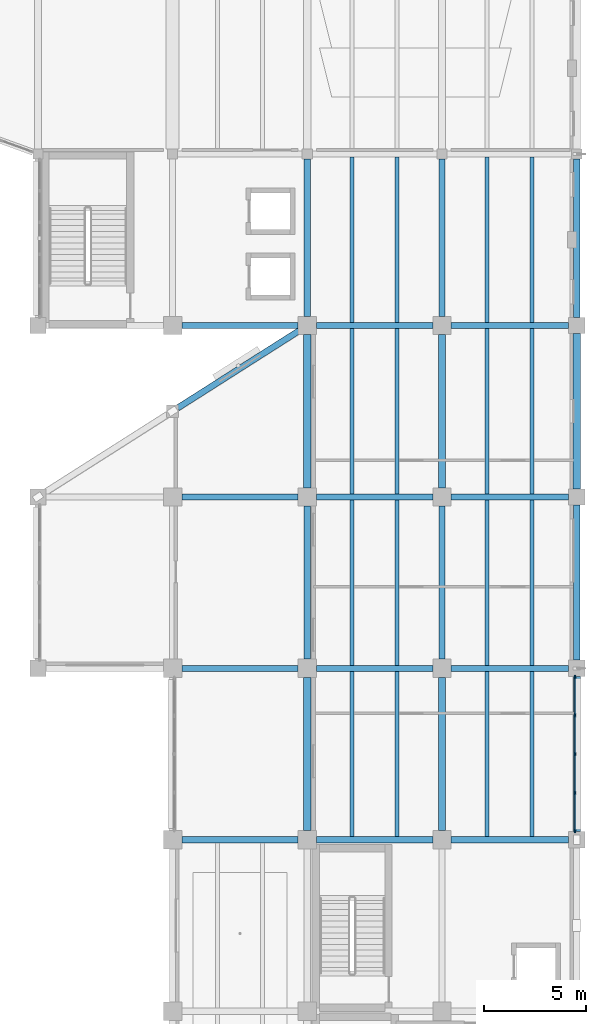
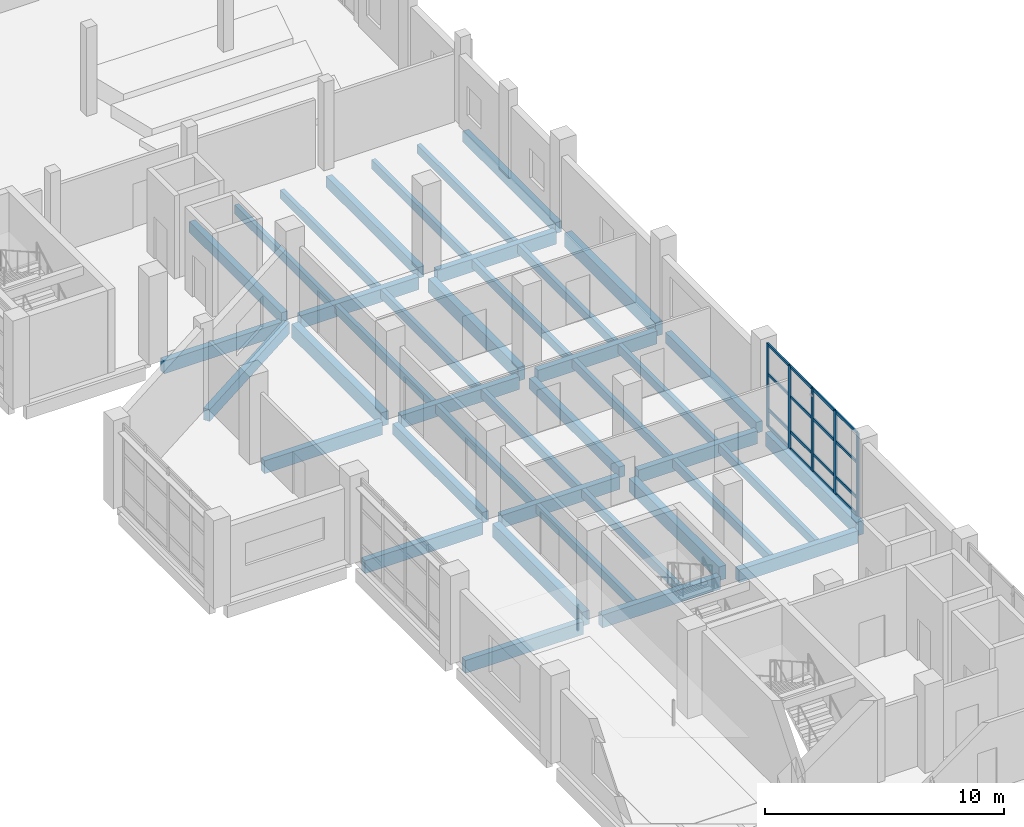
# One storey, part 21 of 76: 41 beams, 21 members, 1 element without a shape of its own.
"""IFC4 building model written with IfcOpenShell, lengths in metres."""

from ifc_helpers import new_model, si_unit, direction, frame, origin, origin_2d, place, context, subcontext, project, spatial, rectangle, extrude, material, material_profile, profile_set, type_object, element, aggregate, save


model = new_model("IFC4")

# Units and contexts
model_context = context("Model", 3, precision=1e-05, world=origin(), true_north=direction((0.0, 1.0)))
body_context = subcontext(model_context, "Body", "Model", "MODEL_VIEW")
ifc_project = project(units=[si_unit("LENGTHUNIT", "METRE"), si_unit("AREAUNIT", "SQUARE_METRE"), si_unit("VOLUMEUNIT", "CUBIC_METRE"), si_unit("PLANEANGLEUNIT", "RADIAN"), si_unit("MASSUNIT", "GRAM", prefix="KILO")], contexts=[model_context])

# Site, building, storey
site_placement = place(None, origin())
site = spatial("IfcSite", under=ifc_project, at=site_placement, CompositionType="ELEMENT")
building_placement = place(site_placement, origin())
building = spatial("IfcBuilding", under=site, at=building_placement, Name="Qaldarim Faculty of Natural and Applied Sciences", CompositionType="ELEMENT")
storey_placement = place(building_placement, frame((0.0, 0.0, 9.89990234375)))
storey = spatial("IfcBuildingStorey", under=building, at=storey_placement, Name="L02", CompositionType="ELEMENT", Elevation=9.89990234375)

# Beams
ifc_material_1 = material(Name="Concrete C40/50", Category="concrete")
ifc_material_profile_1 = material_profile(ifc_material_1, rectangle(XDim=0.300048828125, YDim=0.550048828125, at=origin_2d()), Name="RC-B300x550")
ifc_profile_set_1 = profile_set([ifc_material_profile_1], Name="Concrete C40/50")
beam_type_1 = type_object("IfcBeamType", Name="FloorBeam-RC300x550", PredefinedType="BEAM", material=ifc_profile_set_1)
beam_1_placement = place(storey_placement, frame((165.0, 42.449951171875, -0.574951171875), z_axis=(0.0, 1.0, 0.0), x_axis=(-1.0, 0.0, 0.0)))
element("IfcBeam", 1, at=beam_1_placement, inside=storey, type_object=beam_type_1, Name="Beam RC-B300x550 L01 X26/Y06-Y07", PredefinedType="BEAM", context=body_context, shape_type="SweptSolid", body=[
    extrude(rectangle(XDim=0.300048828125, YDim=0.550048828125, at=origin_2d()), origin(), (0.0, 0.0, 1.0), 7.5),
])
beam_2_placement = place(storey_placement, frame((165.0, 59.25, -0.574951171875), z_axis=(0.0, 1.0, 0.0), x_axis=(-1.0, 0.0, 0.0)))
element("IfcBeam", 2, at=beam_2_placement, inside=storey, type_object=beam_type_1, Name="Beam RC-B300x550 L01 X26/Y08-Y09", PredefinedType="BEAM", context=body_context, shape_type="SweptSolid", body=[
    extrude(rectangle(XDim=0.300048828125, YDim=0.550048828125, at=origin_2d()), origin(), (0.0, 0.0, 1.0), 7.699951171875),
])
beam_3_placement = place(storey_placement, frame((171.60009765625, 42.449951171875, -0.574951171875), z_axis=(0.0, 1.0, 0.0), x_axis=(-1.0, 0.0, 0.0)))
element("IfcBeam", 3, at=beam_3_placement, inside=storey, type_object=beam_type_1, Name="Beam RC-B300x550 L01 X27/Y06-Y07", PredefinedType="BEAM", context=body_context, shape_type="SweptSolid", body=[
    extrude(rectangle(XDim=0.300048828125, YDim=0.550048828125, at=origin_2d()), origin(), (0.0, 0.0, 1.0), 7.5),
])
beam_4_placement = place(storey_placement, frame((171.60009765625, 59.25, -0.574951171875), z_axis=(0.0, 1.0, 0.0), x_axis=(-1.0, 0.0, 0.0)))
element("IfcBeam", 4, at=beam_4_placement, inside=storey, type_object=beam_type_1, Name="Beam RC-B300x550 L01 X27/Y08-Y09", PredefinedType="BEAM", context=body_context, shape_type="SweptSolid", body=[
    extrude(rectangle(XDim=0.300048828125, YDim=0.550048828125, at=origin_2d()), origin(), (0.0, 0.0, 1.0), 7.699951171875),
])
beam_5_placement = place(storey_placement, frame((178.199951171875, 42.39990234375, -0.574951171875), z_axis=(0.0, 1.0, 0.0), x_axis=(-1.0, 0.0, 0.0)))
element("IfcBeam", 5, at=beam_5_placement, inside=storey, type_object=beam_type_1, Name="Beam RC-B300x550 L01 X28/Y06-Y07", PredefinedType="BEAM", context=body_context, shape_type="SweptSolid", body=[
    extrude(rectangle(XDim=0.300048828125, YDim=0.550048828125, at=origin_2d()), origin(), (0.0, 0.0, 1.0), 7.60009765625),
])
beam_6_placement = place(storey_placement, frame((178.199951171875, 59.199951171875, -0.574951171875), z_axis=(0.0, 1.0, 0.0), x_axis=(-1.0, 0.0, 0.0)))
element("IfcBeam", 6, at=beam_6_placement, inside=storey, type_object=beam_type_1, Name="Beam RC-B300x550 L01 X28/Y08-Y09", PredefinedType="BEAM", context=body_context, shape_type="SweptSolid", body=[
    extrude(rectangle(XDim=0.300048828125, YDim=0.550048828125, at=origin_2d()), origin(), (0.0, 0.0, 1.0), 7.75),
])
ifc_material_profile_2 = material_profile(ifc_material_1, rectangle(XDim=0.199951171875, YDim=0.449951171875, at=origin_2d()), Name="RC-J200x450")
ifc_profile_set_2 = profile_set([ifc_material_profile_2], Name="Concrete C40/50")
beam_type_2 = type_object("IfcBeamType", Name="LabJoist-RC200x450", PredefinedType="JOIST", material=ifc_profile_set_2)
for number, where, z_axis, x_axis, name in (
    (7, (167.199951171875, 33.75, -0.52490234375), (0.0, 1.0, 0.0), (-1.0, 0.0, 0.0), "Laboratory joist L01 bay X26Y05-1"),
    (8, (169.39990234375, 33.75, -0.52490234375), (0.0, 1.0, 0.0), (-1.0, 0.0, 0.0), "Laboratory joist L01 bay X26Y05-2"),
    (9, (167.199951171875, 42.14990234375, -0.52490234375), (0.0, 1.0, 0.0), (-1.0, 0.0, 0.0), "Laboratory joist L01 bay X26Y06-1"),
    (10, (169.39990234375, 42.14990234375, -0.52490234375), (0.0, 1.0, 0.0), (-1.0, 0.0, 0.0), "Laboratory joist L01 bay X26Y06-2"),
):
    element("IfcBeam", number, at=place(storey_placement, frame(where, z_axis=z_axis, x_axis=x_axis)), inside=storey, type_object=beam_type_2, Name=name, PredefinedType="JOIST", context=body_context, shape_type="SweptSolid", body=[
        extrude(rectangle(XDim=0.199951171875, YDim=0.449951171875, at=origin_2d()), origin(), (0.0, 0.0, 1.0), 8.10009765625),
    ])
for number, where, z_axis, x_axis, name in (
    (11, (167.199951171875, 50.550048828125, -0.52490234375), (0.0, 1.0, 0.0), (-1.0, 0.0, 0.0), "Laboratory joist L01 bay X26Y07-1"),
    (12, (169.39990234375, 50.550048828125, -0.52490234375), (0.0, 1.0, 0.0), (-1.0, 0.0, 0.0), "Laboratory joist L01 bay X26Y07-2"),
):
    element("IfcBeam", number, at=place(storey_placement, frame(where, z_axis=z_axis, x_axis=x_axis)), inside=storey, type_object=beam_type_2, Name=name, PredefinedType="JOIST", context=body_context, shape_type="SweptSolid", body=[
        extrude(rectangle(XDim=0.199951171875, YDim=0.449951171875, at=origin_2d()), origin(), (0.0, 0.0, 1.0), 8.099853515625),
    ])
for number, where, z_axis, x_axis, name in (
    (13, (167.199951171875, 58.949951171875, -0.52490234375), (0.0, 1.0, 0.0), (-1.0, 0.0, 0.0), "Laboratory joist L01 bay X26Y08-1"),
    (14, (169.39990234375, 58.949951171875, -0.52490234375), (0.0, 1.0, 0.0), (-1.0, 0.0, 0.0), "Laboratory joist L01 bay X26Y08-2"),
    (15, (173.800048828125, 33.75, -0.52490234375), (0.0, 1.0, 0.0), (-1.0, 0.0, 0.0), "Laboratory joist L01 bay X27Y05-1"),
    (16, (176.0, 33.75, -0.52490234375), (0.0, 1.0, 0.0), (-1.0, 0.0, 0.0), "Laboratory joist L01 bay X27Y05-2"),
    (17, (173.800048828125, 42.14990234375, -0.52490234375), (0.0, 1.0, 0.0), (-1.0, 0.0, 0.0), "Laboratory joist L01 bay X27Y06-1"),
    (18, (176.0, 42.14990234375, -0.52490234375), (0.0, 1.0, 0.0), (-1.0, 0.0, 0.0), "Laboratory joist L01 bay X27Y06-2"),
):
    element("IfcBeam", number, at=place(storey_placement, frame(where, z_axis=z_axis, x_axis=x_axis)), inside=storey, type_object=beam_type_2, Name=name, PredefinedType="JOIST", context=body_context, shape_type="SweptSolid", body=[
        extrude(rectangle(XDim=0.199951171875, YDim=0.449951171875, at=origin_2d()), origin(), (0.0, 0.0, 1.0), 8.10009765625),
    ])
for number, where, z_axis, x_axis, name in (
    (19, (173.800048828125, 50.550048828125, -0.52490234375), (0.0, 1.0, 0.0), (-1.0, 0.0, 0.0), "Laboratory joist L01 bay X27Y07-1"),
    (20, (176.0, 50.550048828125, -0.52490234375), (0.0, 1.0, 0.0), (-1.0, 0.0, 0.0), "Laboratory joist L01 bay X27Y07-2"),
):
    element("IfcBeam", number, at=place(storey_placement, frame(where, z_axis=z_axis, x_axis=x_axis)), inside=storey, type_object=beam_type_2, Name=name, PredefinedType="JOIST", context=body_context, shape_type="SweptSolid", body=[
        extrude(rectangle(XDim=0.199951171875, YDim=0.449951171875, at=origin_2d()), origin(), (0.0, 0.0, 1.0), 8.099853515625),
    ])
for number, where, z_axis, x_axis, name in (
    (21, (173.800048828125, 58.949951171875, -0.52490234375), (0.0, 1.0, 0.0), (-1.0, 0.0, 0.0), "Laboratory joist L01 bay X27Y08-1"),
    (22, (176.0, 58.949951171875, -0.52490234375), (0.0, 1.0, 0.0), (-1.0, 0.0, 0.0), "Laboratory joist L01 bay X27Y08-2"),
):
    element("IfcBeam", number, at=place(storey_placement, frame(where, z_axis=z_axis, x_axis=x_axis)), inside=storey, type_object=beam_type_2, Name=name, PredefinedType="JOIST", context=body_context, shape_type="SweptSolid", body=[
        extrude(rectangle(XDim=0.199951171875, YDim=0.449951171875, at=origin_2d()), origin(), (0.0, 0.0, 1.0), 8.10009765625),
    ])

# Curtain wall, members
ifc_material_2 = material(Name="Anodised aluminium AW-6063", Category="aluminium")
curtain_wall_type = type_object("IfcCurtainWallType", Name="CurtainWallSystem-M1700", PredefinedType="USERDEFINED", material=ifc_material_2)
curtain_wall_placement = place(storey_placement, origin())
curtain_wall = element("IfcCurtainWall", 23, at=curtain_wall_placement, inside=storey, type_object=curtain_wall_type, Name="Curtain wall CW-L02-E-X27Y05", ObjectType="UNITISED FACADE", PredefinedType="USERDEFINED")
ifc_material_profile_3 = material_profile(ifc_material_2, rectangle(XDim=0.070068359375, YDim=0.179931640625, at=origin_2d()), Name="ALU-M70x180")
ifc_profile_set_3 = profile_set([ifc_material_profile_3], Name="Anodised aluminium AW-6063")
member_type_1 = type_object("IfcMemberType", Name="Mullion-ALU70x180", PredefinedType="MULLION", material=ifc_profile_set_3)
member_1_placement = place(storey_placement, frame((178.1201171875, 34.030029296875, 0.0), z_axis=(0.0, 0.0, 1.0), x_axis=(-1.0, 0.0, 0.0)))
member_1 = element("IfcMember", 24, at=member_1_placement, type_object=member_type_1, Name="Mullion 1 of CW-L02-E-X27Y05", PredefinedType="MULLION", context=body_context, shape_type="SweptSolid", body=[
    extrude(rectangle(XDim=0.070068359375, YDim=0.179931640625, at=origin_2d()), origin(), (0.0, 0.0, 1.0), 4.239990234375),
])
member_2_placement = place(storey_placement, frame((178.1201171875, 35.8974609375, 0.0), z_axis=(0.0, 0.0, 1.0), x_axis=(-1.0, 0.0, 0.0)))
member_2 = element("IfcMember", 25, at=member_2_placement, type_object=member_type_1, Name="Mullion 2 of CW-L02-E-X27Y05", PredefinedType="MULLION", context=body_context, shape_type="SweptSolid", body=[
    extrude(rectangle(XDim=0.070068359375, YDim=0.179931640625, at=origin_2d()), origin(), (0.0, 0.0, 1.0), 4.239990234375),
])
member_3_placement = place(storey_placement, frame((178.1201171875, 37.800048828125, 0.0), z_axis=(0.0, 0.0, 1.0), x_axis=(-1.0, 0.0, 0.0)))
member_3 = element("IfcMember", 26, at=member_3_placement, type_object=member_type_1, Name="Mullion 3 of CW-L02-E-X27Y05", PredefinedType="MULLION", context=body_context, shape_type="SweptSolid", body=[
    extrude(rectangle(XDim=0.070068359375, YDim=0.179931640625, at=origin_2d()), origin(), (0.0, 0.0, 1.0), 4.239990234375),
])
member_4_placement = place(storey_placement, frame((178.1201171875, 39.702392578125, 0.0), z_axis=(0.0, 0.0, 1.0), x_axis=(-1.0, 0.0, 0.0)))
member_4 = element("IfcMember", 27, at=member_4_placement, type_object=member_type_1, Name="Mullion 4 of CW-L02-E-X27Y05", PredefinedType="MULLION", context=body_context, shape_type="SweptSolid", body=[
    extrude(rectangle(XDim=0.070068359375, YDim=0.179931640625, at=origin_2d()), origin(), (0.0, 0.0, 1.0), 4.239990234375),
])
member_5_placement = place(storey_placement, frame((178.1201171875, 41.570068359375, 0.0), z_axis=(0.0, 0.0, 1.0), x_axis=(-1.0, 0.0, 0.0)))
member_5 = element("IfcMember", 28, at=member_5_placement, type_object=member_type_1, Name="Mullion 5 of CW-L02-E-X27Y05", PredefinedType="MULLION", context=body_context, shape_type="SweptSolid", body=[
    extrude(rectangle(XDim=0.070068359375, YDim=0.179931640625, at=origin_2d()), origin(), (0.0, 0.0, 1.0), 4.239990234375),
])

# Beams
ifc_material_profile_4 = material_profile(ifc_material_1, rectangle(XDim=0.300048828125, YDim=0.64990234375, at=origin_2d()), Name="RC-B300x650")
ifc_profile_set_4 = profile_set([ifc_material_profile_4], Name="Concrete C40/50")
beam_type_3 = type_object("IfcBeamType", Name="PrimaryBeam-RC300x650", PredefinedType="BEAM", material=ifc_profile_set_4)
for number, where, z_axis, x_axis, name in (
    (29, (158.85009765625, 33.60009765625, -0.625), (1.0, 0.0, 0.0), (0.0, 1.0, 0.0), "Beam RC-B300x650 L01 X25-X26/Y05"),
    (30, (165.449951171875, 33.60009765625, -0.625), (1.0, 0.0, 0.0), (0.0, 1.0, 0.0), "Beam RC-B300x650 L01 X26-X27/Y05"),
):
    element("IfcBeam", number, at=place(storey_placement, frame(where, z_axis=z_axis, x_axis=x_axis)), inside=storey, type_object=beam_type_3, Name=name, PredefinedType="BEAM", context=body_context, shape_type="SweptSolid", body=[
        extrude(rectangle(XDim=0.300048828125, YDim=0.64990234375, at=origin_2d()), origin(), (0.0, 0.0, 1.0), 5.699951171875),
    ])
beam_7_placement = place(storey_placement, frame((172.050048828125, 33.60009765625, -0.625), z_axis=(1.0, 0.0, 0.0), x_axis=(0.0, 1.0, 0.0)))
element("IfcBeam", 31, at=beam_7_placement, inside=storey, type_object=beam_type_3, Name="Beam RC-B300x650 L01 X27-X28/Y05", PredefinedType="BEAM", context=body_context, shape_type="SweptSolid", body=[
    extrude(rectangle(XDim=0.300048828125, YDim=0.64990234375, at=origin_2d()), origin(), (0.0, 0.0, 1.0), 5.75),
])
for number, where, z_axis, x_axis, name in (
    (32, (158.85009765625, 42.0, -0.625), (1.0, 0.0, 0.0), (0.0, 1.0, 0.0), "Beam RC-B300x650 L01 X25-X26/Y06"),
    (33, (165.449951171875, 42.0, -0.625), (1.0, 0.0, 0.0), (0.0, 1.0, 0.0), "Beam RC-B300x650 L01 X26-X27/Y06"),
):
    element("IfcBeam", number, at=place(storey_placement, frame(where, z_axis=z_axis, x_axis=x_axis)), inside=storey, type_object=beam_type_3, Name=name, PredefinedType="BEAM", context=body_context, shape_type="SweptSolid", body=[
        extrude(rectangle(XDim=0.300048828125, YDim=0.64990234375, at=origin_2d()), origin(), (0.0, 0.0, 1.0), 5.699951171875),
    ])
beam_8_placement = place(storey_placement, frame((172.050048828125, 42.0, -0.625), z_axis=(1.0, 0.0, 0.0), x_axis=(0.0, 1.0, 0.0)))
element("IfcBeam", 34, at=beam_8_placement, inside=storey, type_object=beam_type_3, Name="Beam RC-B300x650 L01 X27-X28/Y06", PredefinedType="BEAM", context=body_context, shape_type="SweptSolid", body=[
    extrude(rectangle(XDim=0.300048828125, YDim=0.64990234375, at=origin_2d()), origin(), (0.0, 0.0, 1.0), 5.75),
])
for number, where, z_axis, x_axis, name in (
    (35, (158.85009765625, 50.39990234375, -0.625), (1.0, 0.0, 0.0), (0.0, 1.0, 0.0), "Beam RC-B300x650 L01 X25-X26/Y07"),
    (36, (165.449951171875, 50.39990234375, -0.625), (1.0, 0.0, 0.0), (0.0, 1.0, 0.0), "Beam RC-B300x650 L01 X26-X27/Y07"),
):
    element("IfcBeam", number, at=place(storey_placement, frame(where, z_axis=z_axis, x_axis=x_axis)), inside=storey, type_object=beam_type_3, Name=name, PredefinedType="BEAM", context=body_context, shape_type="SweptSolid", body=[
        extrude(rectangle(XDim=0.300048828125, YDim=0.64990234375, at=origin_2d()), origin(), (0.0, 0.0, 1.0), 5.699951171875),
    ])
beam_9_placement = place(storey_placement, frame((172.050048828125, 50.39990234375, -0.625), z_axis=(1.0, 0.0, 0.0), x_axis=(0.0, 1.0, 0.0)))
element("IfcBeam", 37, at=beam_9_placement, inside=storey, type_object=beam_type_3, Name="Beam RC-B300x650 L01 X27-X28/Y07", PredefinedType="BEAM", context=body_context, shape_type="SweptSolid", body=[
    extrude(rectangle(XDim=0.300048828125, YDim=0.64990234375, at=origin_2d()), origin(), (0.0, 0.0, 1.0), 5.75),
])
for number, where, z_axis, x_axis, name in (
    (38, (158.85009765625, 58.800048828125, -0.625), (1.0, 0.0, 0.0), (0.0, 1.0, 0.0), "Beam RC-B300x650 L01 X25-X26/Y08"),
    (39, (165.449951171875, 58.800048828125, -0.625), (1.0, 0.0, 0.0), (0.0, 1.0, 0.0), "Beam RC-B300x650 L01 X26-X27/Y08"),
):
    element("IfcBeam", number, at=place(storey_placement, frame(where, z_axis=z_axis, x_axis=x_axis)), inside=storey, type_object=beam_type_3, Name=name, PredefinedType="BEAM", context=body_context, shape_type="SweptSolid", body=[
        extrude(rectangle(XDim=0.300048828125, YDim=0.64990234375, at=origin_2d()), origin(), (0.0, 0.0, 1.0), 5.699951171875),
    ])
beam_10_placement = place(storey_placement, frame((172.050048828125, 58.800048828125, -0.625), z_axis=(1.0, 0.0, 0.0), x_axis=(0.0, 1.0, 0.0)))
element("IfcBeam", 40, at=beam_10_placement, inside=storey, type_object=beam_type_3, Name="Beam RC-B300x650 L01 X27-X28/Y08", PredefinedType="BEAM", context=body_context, shape_type="SweptSolid", body=[
    extrude(rectangle(XDim=0.300048828125, YDim=0.64990234375, at=origin_2d()), origin(), (0.0, 0.0, 1.0), 5.75),
])
ifc_material_profile_5 = material_profile(ifc_material_1, rectangle(XDim=0.35009765625, YDim=0.699951171875, at=origin_2d()), Name="RC-B350x700")
ifc_profile_set_5 = profile_set([ifc_material_profile_5], Name="Concrete C40/50")
beam_type_4 = type_object("IfcBeamType", Name="PrimaryGirder-RC350x700", PredefinedType="BEAM", material=ifc_profile_set_5)
for number, where, z_axis, x_axis, name in (
    (41, (165.0, 34.050048828125, -0.64990234375), (0.0, 1.0, 0.0), (-1.0, 0.0, 0.0), "Beam RC-B350x700 L01 X26/Y05-Y06"),
    (42, (165.0, 50.85009765625, -0.64990234375), (0.0, 1.0, 0.0), (-1.0, 0.0, 0.0), "Beam RC-B350x700 L01 X26/Y07-Y08"),
    (43, (171.60009765625, 34.050048828125, -0.64990234375), (0.0, 1.0, 0.0), (-1.0, 0.0, 0.0), "Beam RC-B350x700 L01 X27/Y05-Y06"),
    (44, (171.60009765625, 50.85009765625, -0.64990234375), (0.0, 1.0, 0.0), (-1.0, 0.0, 0.0), "Beam RC-B350x700 L01 X27/Y07-Y08"),
):
    element("IfcBeam", number, at=place(storey_placement, frame(where, z_axis=z_axis, x_axis=x_axis)), inside=storey, type_object=beam_type_4, Name=name, PredefinedType="BEAM", context=body_context, shape_type="SweptSolid", body=[
        extrude(rectangle(XDim=0.35009765625, YDim=0.699951171875, at=origin_2d()), origin(), (0.0, 0.0, 1.0), 7.5),
    ])
beam_11_placement = place(storey_placement, frame((178.199951171875, 34.0, -0.64990234375), z_axis=(0.0, 1.0, 0.0), x_axis=(-1.0, 0.0, 0.0)))
element("IfcBeam", 45, at=beam_11_placement, inside=storey, type_object=beam_type_4, Name="Beam RC-B350x700 L01 X28/Y05-Y06", PredefinedType="BEAM", context=body_context, shape_type="SweptSolid", body=[
    extrude(rectangle(XDim=0.35009765625, YDim=0.699951171875, at=origin_2d()), origin(), (0.0, 0.0, 1.0), 7.60009765625),
])
beam_12_placement = place(storey_placement, frame((178.199951171875, 50.800048828125, -0.64990234375), z_axis=(0.0, 1.0, 0.0), x_axis=(-1.0, 0.0, 0.0)))
element("IfcBeam", 46, at=beam_12_placement, inside=storey, type_object=beam_type_4, Name="Beam RC-B350x700 L01 X28/Y07-Y08", PredefinedType="BEAM", context=body_context, shape_type="SweptSolid", body=[
    extrude(rectangle(XDim=0.35009765625, YDim=0.699951171875, at=origin_2d()), origin(), (0.0, 0.0, 1.0), 7.599853515625),
])
ifc_material_3 = material(Name="Precast concrete C40/50", Category="concrete")
ifc_material_profile_6 = material_profile(ifc_material_3, rectangle(XDim=0.300048828125, YDim=0.60009765625, at=origin_2d()), Name="RC-SP300x600")
ifc_profile_set_6 = profile_set([ifc_material_profile_6], Name="Precast concrete C40/50")
beam_type_5 = type_object("IfcBeamType", Name="SpandrelBeam-RC300x600", PredefinedType="SPANDREL", material=ifc_profile_set_6)
beam_13_placement = place(storey_placement, frame((158.64990234375, 54.760009765625, -0.599853515625), z_axis=(0.843786613851, 0.536678814829, 0.0), x_axis=(-0.536678814829, 0.843786613851, 0.0)))
element("IfcBeam", 47, at=beam_13_placement, inside=storey, type_object=beam_type_5, Name="Oblique NW chamfer spandrel L01 2", PredefinedType="SPANDREL", context=body_context, shape_type="SweptSolid", body=[
    extrude(rectangle(XDim=0.300048828125, YDim=0.60009765625, at=origin_2d()), origin(), (0.0, 0.0, 1.0), 7.2294921875),
])

# Member
ifc_material_profile_7 = material_profile(ifc_material_2, rectangle(XDim=0.070068359375, YDim=0.139892578125, at=origin_2d()), Name="ALU-T70x140")
ifc_profile_set_7 = profile_set([ifc_material_profile_7], Name="Anodised aluminium AW-6063")
member_type_2 = type_object("IfcMemberType", Name="Transom-ALU70x140", PredefinedType="USERDEFINED", material=ifc_profile_set_7)
member_6_placement = place(storey_placement, frame((178.1201171875, 34.06494140625, 0.03515625), z_axis=(0.0, 1.0, 0.0), x_axis=(-1.0, 0.0, 0.0)))
member_6 = element("IfcMember", 48, at=member_6_placement, type_object=member_type_2, Name="Transom 1-1 of CW-L02-E-X27Y05", ObjectType="TRANSOM", PredefinedType="USERDEFINED", context=body_context, shape_type="SweptSolid", body=[
    extrude(rectangle(XDim=0.070068359375, YDim=0.139892578125, at=origin_2d()), origin(), (0.0, 0.0, 1.0), 1.797607421875),
])

member_7_placement = place(storey_placement, frame((178.1201171875, 34.06494140625, 0.900146484375), z_axis=(0.0, 1.0, 0.0), x_axis=(-1.0, 0.0, 0.0)))
member_7 = element("IfcMember", 49, at=member_7_placement, type_object=member_type_2, Name="Transom 1-2 of CW-L02-E-X27Y05", ObjectType="TRANSOM", PredefinedType="USERDEFINED", context=body_context, shape_type="SweptSolid", body=[
    extrude(rectangle(XDim=0.070068359375, YDim=0.139892578125, at=origin_2d()), origin(), (0.0, 0.0, 1.0), 1.797607421875),
])

member_8_placement = place(storey_placement, frame((178.1201171875, 34.06494140625, 2.7001953125), z_axis=(0.0, 1.0, 0.0), x_axis=(-1.0, 0.0, 0.0)))
member_8 = element("IfcMember", 50, at=member_8_placement, type_object=member_type_2, Name="Transom 1-3 of CW-L02-E-X27Y05", ObjectType="TRANSOM", PredefinedType="USERDEFINED", context=body_context, shape_type="SweptSolid", body=[
    extrude(rectangle(XDim=0.070068359375, YDim=0.139892578125, at=origin_2d()), origin(), (0.0, 0.0, 1.0), 1.797607421875),
])

member_9_placement = place(storey_placement, frame((178.1201171875, 34.06494140625, 4.205078125), z_axis=(0.0, 1.0, 0.0), x_axis=(-1.0, 0.0, 0.0)))
member_9 = element("IfcMember", 51, at=member_9_placement, type_object=member_type_2, Name="Transom 1-4 of CW-L02-E-X27Y05", ObjectType="TRANSOM", PredefinedType="USERDEFINED", context=body_context, shape_type="SweptSolid", body=[
    extrude(rectangle(XDim=0.070068359375, YDim=0.139892578125, at=origin_2d()), origin(), (0.0, 0.0, 1.0), 1.797607421875),
])

member_10_placement = place(storey_placement, frame((178.1201171875, 35.9326171875, 0.03515625), z_axis=(0.0, 1.0, 0.0), x_axis=(-1.0, 0.0, 0.0)))
member_10 = element("IfcMember", 52, at=member_10_placement, type_object=member_type_2, Name="Transom 2-1 of CW-L02-E-X27Y05", ObjectType="TRANSOM", PredefinedType="USERDEFINED", context=body_context, shape_type="SweptSolid", body=[
    extrude(rectangle(XDim=0.070068359375, YDim=0.139892578125, at=origin_2d()), origin(), (0.0, 0.0, 1.0), 1.832275390625),
])

member_11_placement = place(storey_placement, frame((178.1201171875, 35.9326171875, 0.900146484375), z_axis=(0.0, 1.0, 0.0), x_axis=(-1.0, 0.0, 0.0)))
member_11 = element("IfcMember", 53, at=member_11_placement, type_object=member_type_2, Name="Transom 2-2 of CW-L02-E-X27Y05", ObjectType="TRANSOM", PredefinedType="USERDEFINED", context=body_context, shape_type="SweptSolid", body=[
    extrude(rectangle(XDim=0.070068359375, YDim=0.139892578125, at=origin_2d()), origin(), (0.0, 0.0, 1.0), 1.832275390625),
])

member_12_placement = place(storey_placement, frame((178.1201171875, 35.9326171875, 2.7001953125), z_axis=(0.0, 1.0, 0.0), x_axis=(-1.0, 0.0, 0.0)))
member_12 = element("IfcMember", 54, at=member_12_placement, type_object=member_type_2, Name="Transom 2-3 of CW-L02-E-X27Y05", ObjectType="TRANSOM", PredefinedType="USERDEFINED", context=body_context, shape_type="SweptSolid", body=[
    extrude(rectangle(XDim=0.070068359375, YDim=0.139892578125, at=origin_2d()), origin(), (0.0, 0.0, 1.0), 1.832275390625),
])

member_13_placement = place(storey_placement, frame((178.1201171875, 35.9326171875, 4.205078125), z_axis=(0.0, 1.0, 0.0), x_axis=(-1.0, 0.0, 0.0)))
member_13 = element("IfcMember", 55, at=member_13_placement, type_object=member_type_2, Name="Transom 2-4 of CW-L02-E-X27Y05", ObjectType="TRANSOM", PredefinedType="USERDEFINED", context=body_context, shape_type="SweptSolid", body=[
    extrude(rectangle(XDim=0.070068359375, YDim=0.139892578125, at=origin_2d()), origin(), (0.0, 0.0, 1.0), 1.832275390625),
])

member_14_placement = place(storey_placement, frame((178.1201171875, 37.8349609375, 0.03515625), z_axis=(0.0, 1.0, 0.0), x_axis=(-1.0, 0.0, 0.0)))
member_14 = element("IfcMember", 56, at=member_14_placement, type_object=member_type_2, Name="Transom 3-1 of CW-L02-E-X27Y05", ObjectType="TRANSOM", PredefinedType="USERDEFINED", context=body_context, shape_type="SweptSolid", body=[
    extrude(rectangle(XDim=0.070068359375, YDim=0.139892578125, at=origin_2d()), origin(), (0.0, 0.0, 1.0), 1.83251953125),
])

member_15_placement = place(storey_placement, frame((178.1201171875, 37.8349609375, 0.900146484375), z_axis=(0.0, 1.0, 0.0), x_axis=(-1.0, 0.0, 0.0)))
member_15 = element("IfcMember", 57, at=member_15_placement, type_object=member_type_2, Name="Transom 3-2 of CW-L02-E-X27Y05", ObjectType="TRANSOM", PredefinedType="USERDEFINED", context=body_context, shape_type="SweptSolid", body=[
    extrude(rectangle(XDim=0.070068359375, YDim=0.139892578125, at=origin_2d()), origin(), (0.0, 0.0, 1.0), 1.83251953125),
])

member_16_placement = place(storey_placement, frame((178.1201171875, 37.8349609375, 2.7001953125), z_axis=(0.0, 1.0, 0.0), x_axis=(-1.0, 0.0, 0.0)))
member_16 = element("IfcMember", 58, at=member_16_placement, type_object=member_type_2, Name="Transom 3-3 of CW-L02-E-X27Y05", ObjectType="TRANSOM", PredefinedType="USERDEFINED", context=body_context, shape_type="SweptSolid", body=[
    extrude(rectangle(XDim=0.070068359375, YDim=0.139892578125, at=origin_2d()), origin(), (0.0, 0.0, 1.0), 1.83251953125),
])

member_17_placement = place(storey_placement, frame((178.1201171875, 37.8349609375, 4.205078125), z_axis=(0.0, 1.0, 0.0), x_axis=(-1.0, 0.0, 0.0)))
member_17 = element("IfcMember", 59, at=member_17_placement, type_object=member_type_2, Name="Transom 3-4 of CW-L02-E-X27Y05", ObjectType="TRANSOM", PredefinedType="USERDEFINED", context=body_context, shape_type="SweptSolid", body=[
    extrude(rectangle(XDim=0.070068359375, YDim=0.139892578125, at=origin_2d()), origin(), (0.0, 0.0, 1.0), 1.83251953125),
])

member_18_placement = place(storey_placement, frame((178.1201171875, 39.737548828125, 0.03515625), z_axis=(0.0, 1.0, 0.0), x_axis=(-1.0, 0.0, 0.0)))
member_18 = element("IfcMember", 60, at=member_18_placement, type_object=member_type_2, Name="Transom 4-1 of CW-L02-E-X27Y05", ObjectType="TRANSOM", PredefinedType="USERDEFINED", context=body_context, shape_type="SweptSolid", body=[
    extrude(rectangle(XDim=0.070068359375, YDim=0.139892578125, at=origin_2d()), origin(), (0.0, 0.0, 1.0), 1.79736328125),
])

member_19_placement = place(storey_placement, frame((178.1201171875, 39.737548828125, 0.900146484375), z_axis=(0.0, 1.0, 0.0), x_axis=(-1.0, 0.0, 0.0)))
member_19 = element("IfcMember", 61, at=member_19_placement, type_object=member_type_2, Name="Transom 4-2 of CW-L02-E-X27Y05", ObjectType="TRANSOM", PredefinedType="USERDEFINED", context=body_context, shape_type="SweptSolid", body=[
    extrude(rectangle(XDim=0.070068359375, YDim=0.139892578125, at=origin_2d()), origin(), (0.0, 0.0, 1.0), 1.79736328125),
])

member_20_placement = place(storey_placement, frame((178.1201171875, 39.737548828125, 2.7001953125), z_axis=(0.0, 1.0, 0.0), x_axis=(-1.0, 0.0, 0.0)))
member_20 = element("IfcMember", 62, at=member_20_placement, type_object=member_type_2, Name="Transom 4-3 of CW-L02-E-X27Y05", ObjectType="TRANSOM", PredefinedType="USERDEFINED", context=body_context, shape_type="SweptSolid", body=[
    extrude(rectangle(XDim=0.070068359375, YDim=0.139892578125, at=origin_2d()), origin(), (0.0, 0.0, 1.0), 1.79736328125),
])

member_21_placement = place(storey_placement, frame((178.1201171875, 39.737548828125, 4.205078125), z_axis=(0.0, 1.0, 0.0), x_axis=(-1.0, 0.0, 0.0)))
member_21 = element("IfcMember", 63, at=member_21_placement, type_object=member_type_2, Name="Transom 4-4 of CW-L02-E-X27Y05", ObjectType="TRANSOM", PredefinedType="USERDEFINED", context=body_context, shape_type="SweptSolid", body=[
    extrude(rectangle(XDim=0.070068359375, YDim=0.139892578125, at=origin_2d()), origin(), (0.0, 0.0, 1.0), 1.79736328125),
])

aggregate(curtain_wall, [member_1, member_2, member_3, member_4, member_5, member_6, member_7, member_8, member_9, member_10, member_11, member_12, member_13, member_14, member_15, member_16, member_17, member_18, member_19, member_20, member_21])

save(model, "model.ifc")
